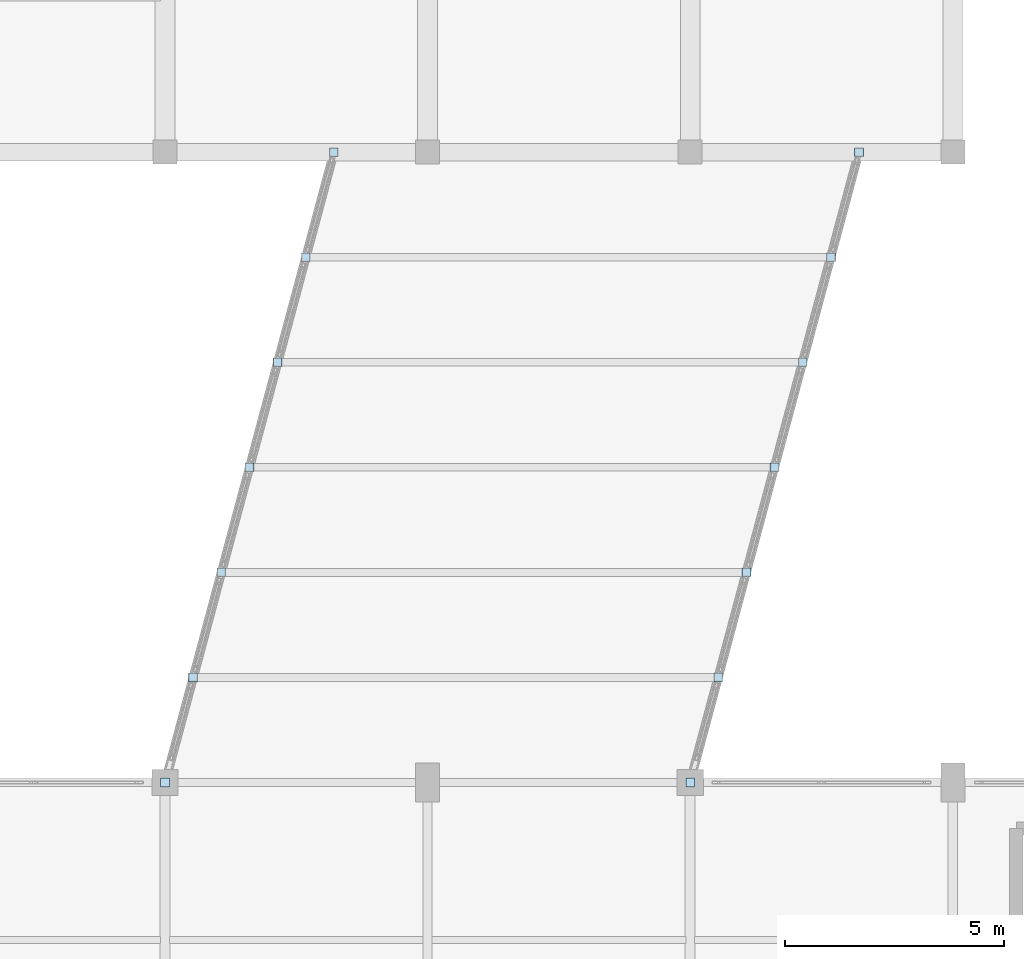
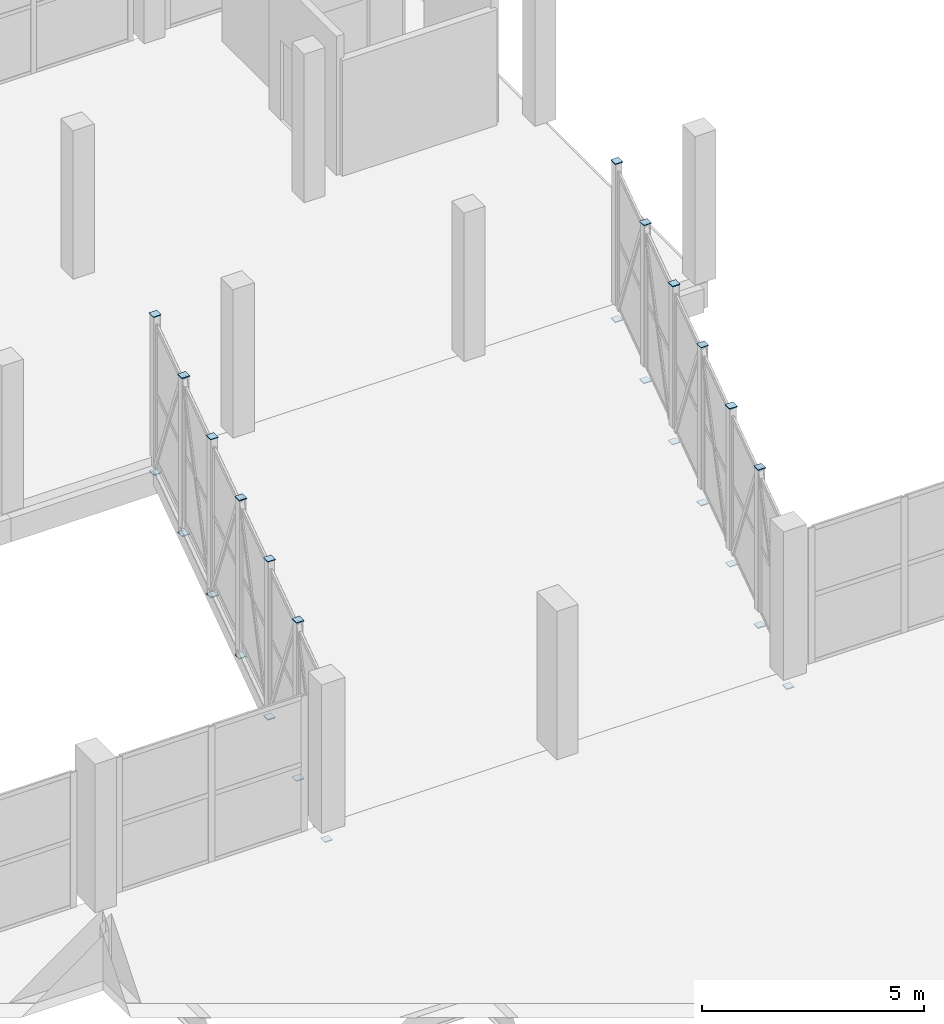
# One storey, part 104 of 127: 26 plates.
"""IFC4 building model written with IfcOpenShell, lengths in metres."""

from ifc_helpers import new_model, si_unit, direction, frame, origin, origin_2d, place, context, subcontext, project, spatial, rectangle, extrude, material, layer, layer_set, type_object, element, save


model = new_model("IFC4")

# Units and contexts
model_context = context("Model", 3, precision=1e-05, world=origin(), true_north=direction((0.0, 1.0)))
body_context = subcontext(model_context, "Body", "Model", "MODEL_VIEW")
ifc_project = project(units=[si_unit("LENGTHUNIT", "METRE"), si_unit("AREAUNIT", "SQUARE_METRE"), si_unit("VOLUMEUNIT", "CUBIC_METRE"), si_unit("PLANEANGLEUNIT", "RADIAN"), si_unit("MASSUNIT", "GRAM", prefix="KILO")], contexts=[model_context])

# Site, building, storey
site_placement = place(None, origin())
site = spatial("IfcSite", under=ifc_project, at=site_placement, CompositionType="ELEMENT")
building_placement = place(site_placement, origin())
building = spatial("IfcBuilding", under=site, at=building_placement, Name="Dunvalen Ferry Terminal", CompositionType="ELEMENT")
storey_placement = place(building_placement, frame((0.0, 0.0, 5.760009765625)))
storey = spatial("IfcBuildingStorey", under=building, at=storey_placement, Name="L01", CompositionType="ELEMENT", Elevation=5.760009765625)

# Plates
ifc_material = material(Name="Steel S355", Category="steel")
ifc_layer_1 = layer(ifc_material, 0.02001953125, Name="Steel S355")
ifc_layer_set_1 = layer_set([ifc_layer_1], Name="Steel S355")
plate_type_1 = type_object("IfcPlateType", Name="STR-PL-GUSSET-01", PredefinedType="USERDEFINED", material=ifc_layer_set_1)
for number, where, z_axis, x_axis, name in (
    (1, (126.0, 86.39990234375, -0.449951171875), (0.0, 0.0, 1.0), (1.0, 0.0, 0.0), "L01 Brace-Strut End Cleat Plate 537"),
    (2, (126.64306640625, 88.800048828125, -0.449951171875), (0.0, 0.0, 1.0), (1.0, 0.0, 0.0), "L01 Brace-Strut End Cleat Plate 539"),
    (3, (127.2861328125, 91.199951171875, 3.889892578125), (0.0, 0.0, 1.0), (1.0, 0.0, 0.0), "L01 Brace-Strut End Cleat Plate 541"),
    (4, (127.92919921875, 93.60009765625, -0.449951171875), (0.0, 0.0, 1.0), (1.0, 0.0, 0.0), "L01 Brace-Strut End Cleat Plate 543"),
    (5, (128.572265625, 96.0, 3.889892578125), (0.0, 0.0, 1.0), (1.0, 0.0, 0.0), "L01 Brace-Strut End Cleat Plate 545"),
    (6, (129.21533203125, 98.39990234375, -0.449951171875), (0.0, 0.0, 1.0), (1.0, 0.0, 0.0), "L01 Brace-Strut End Cleat Plate 547"),
    (7, (129.8583984375, 100.800048828125, 3.889892578125), (0.0, 0.0, 1.0), (1.0, 0.0, 0.0), "L01 Brace-Strut End Cleat Plate 549"),
    (8, (138.64306640625, 88.800048828125, 3.889892578125), (0.0, 0.0, 1.0), (1.0, 0.0, 0.0), "L01 Brace-Strut End Cleat Plate 551"),
    (9, (139.2861328125, 91.199951171875, -0.449951171875), (0.0, 0.0, 1.0), (1.0, 0.0, 0.0), "L01 Brace-Strut End Cleat Plate 553"),
    (10, (139.92919921875, 93.60009765625, 3.889892578125), (0.0, 0.0, 1.0), (1.0, 0.0, 0.0), "L01 Brace-Strut End Cleat Plate 555"),
    (11, (140.572265625, 96.0, -0.449951171875), (0.0, 0.0, 1.0), (1.0, 0.0, 0.0), "L01 Brace-Strut End Cleat Plate 557"),
    (12, (141.21533203125, 98.39990234375, 3.889892578125), (0.0, 0.0, 1.0), (1.0, 0.0, 0.0), "L01 Brace-Strut End Cleat Plate 559"),
    (13, (141.8583984375, 100.800048828125, -0.449951171875), (0.0, 0.0, 1.0), (1.0, 0.0, 0.0), "L01 Brace-Strut End Cleat Plate 561"),
):
    element("IfcPlate", number, at=place(storey_placement, frame(where, z_axis=z_axis, x_axis=x_axis)), inside=storey, type_object=plate_type_1, Name=name, ObjectType="GUSSET PLATE", PredefinedType="USERDEFINED", context=body_context, shape_type="SweptSolid", body=[
        extrude(rectangle(XDim=0.199951171875, YDim=0.199951171875, at=origin_2d()), origin(), (0.0, 0.0, 1.0), 0.02001953125),
    ])
ifc_layer_2 = layer(ifc_material, 0.02587890625, Name="Steel S355")
ifc_layer_set_2 = layer_set([ifc_layer_2], Name="Steel S355")
plate_type_2 = type_object("IfcPlateType", Name="STR-PL-GUSSET-02", PredefinedType="USERDEFINED", material=ifc_layer_set_2)
for number, where, z_axis, x_axis, name in (
    (14, (126.64306640625, 88.800048828125, 3.886962890625), (0.0, 0.0, 1.0), (1.0, 0.0, 0.0), "L01 Brace-Strut End Cleat Plate 538"),
    (15, (127.2861328125, 91.199951171875, -0.452880859375), (0.0, 0.0, 1.0), (1.0, 0.0, 0.0), "L01 Brace-Strut End Cleat Plate 540"),
    (16, (127.92919921875, 93.60009765625, 3.886962890625), (0.0, 0.0, 1.0), (1.0, 0.0, 0.0), "L01 Brace-Strut End Cleat Plate 542"),
    (17, (128.572265625, 96.0, -0.452880859375), (0.0, 0.0, 1.0), (1.0, 0.0, 0.0), "L01 Brace-Strut End Cleat Plate 544"),
    (18, (129.21533203125, 98.39990234375, 3.886962890625), (0.0, 0.0, 1.0), (1.0, 0.0, 0.0), "L01 Brace-Strut End Cleat Plate 546"),
    (19, (129.8583984375, 100.800048828125, -0.452880859375), (0.0, 0.0, 1.0), (1.0, 0.0, 0.0), "L01 Brace-Strut End Cleat Plate 548"),
    (20, (138.0, 86.39990234375, -0.452880859375), (0.0, 0.0, 1.0), (1.0, 0.0, 0.0), "L01 Brace-Strut End Cleat Plate 550"),
    (21, (138.64306640625, 88.800048828125, -0.452880859375), (0.0, 0.0, 1.0), (1.0, 0.0, 0.0), "L01 Brace-Strut End Cleat Plate 552"),
    (22, (139.2861328125, 91.199951171875, 3.886962890625), (0.0, 0.0, 1.0), (1.0, 0.0, 0.0), "L01 Brace-Strut End Cleat Plate 554"),
    (23, (139.92919921875, 93.60009765625, -0.452880859375), (0.0, 0.0, 1.0), (1.0, 0.0, 0.0), "L01 Brace-Strut End Cleat Plate 556"),
    (24, (140.572265625, 96.0, 3.886962890625), (0.0, 0.0, 1.0), (1.0, 0.0, 0.0), "L01 Brace-Strut End Cleat Plate 558"),
    (25, (141.21533203125, 98.39990234375, -0.452880859375), (0.0, 0.0, 1.0), (1.0, 0.0, 0.0), "L01 Brace-Strut End Cleat Plate 560"),
    (26, (141.8583984375, 100.800048828125, 3.886962890625), (0.0, 0.0, 1.0), (1.0, 0.0, 0.0), "L01 Brace-Strut End Cleat Plate 562"),
):
    element("IfcPlate", number, at=place(storey_placement, frame(where, z_axis=z_axis, x_axis=x_axis)), inside=storey, type_object=plate_type_2, Name=name, ObjectType="GUSSET PLATE", PredefinedType="USERDEFINED", context=body_context, shape_type="SweptSolid", body=[
        extrude(rectangle(XDim=0.199951171875, YDim=0.199951171875, at=origin_2d()), origin(), (0.0, 0.0, 1.0), 0.02587890625),
    ])

save(model, "model.ifc")
